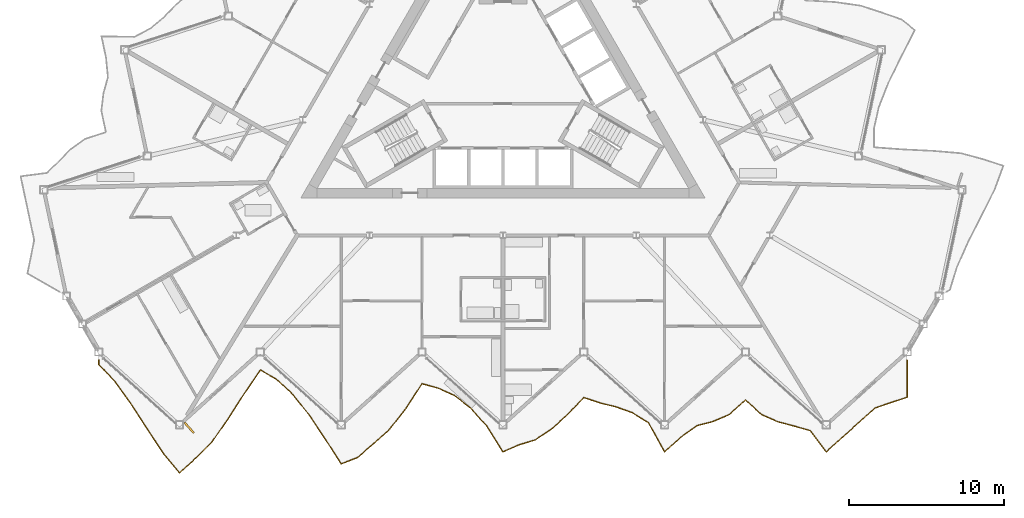
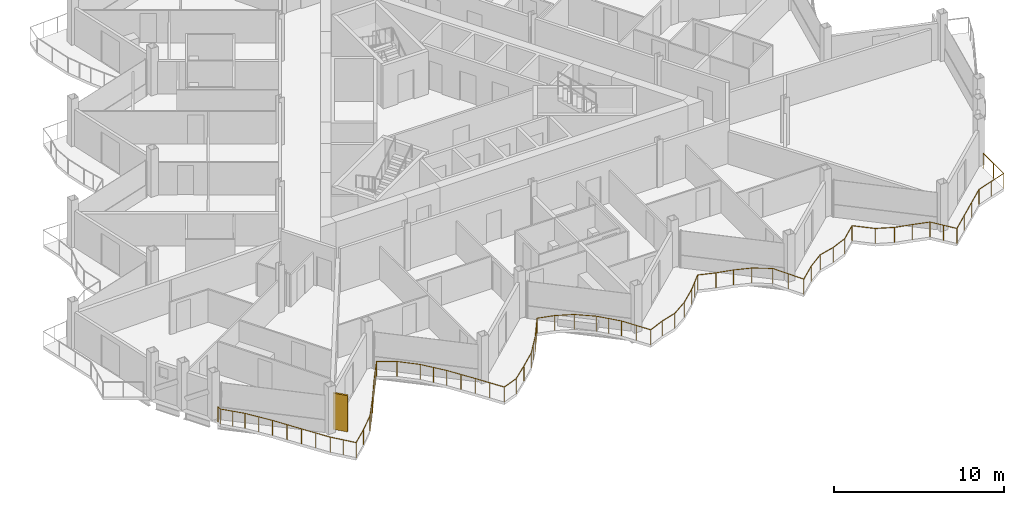
# One storey, part 22 of 26: 1 railing, 1 shading device.
"""IFC4 building model written with IfcOpenShell, lengths in metres."""

from ifc_helpers import new_model, si_unit, direction, frame, origin, origin_2d, place, context, subcontext, project, spatial, rectangle, circle, extrude, material, layer, layer_set, type_object, element, save


model = new_model("IFC4")

# Units and contexts
model_context = context("Model", 3, precision=1e-05, world=origin(), true_north=direction((0.0, 1.0)))
body_context = subcontext(model_context, "Body", "Model", "MODEL_VIEW")
ifc_project = project(units=[si_unit("LENGTHUNIT", "METRE"), si_unit("AREAUNIT", "SQUARE_METRE"), si_unit("VOLUMEUNIT", "CUBIC_METRE"), si_unit("PLANEANGLEUNIT", "RADIAN"), si_unit("MASSUNIT", "GRAM", prefix="KILO")], contexts=[model_context])

# Site, building, storey
site_placement = place(None, origin())
site = spatial("IfcSite", under=ifc_project, at=site_placement, CompositionType="ELEMENT")
building_placement = place(site_placement, origin())
building = spatial("IfcBuilding", under=site, at=building_placement, Name="Cormorant Prow Tower", CompositionType="ELEMENT")
storey_placement = place(building_placement, frame((0.0, 0.0, 401.800048828125)))
storey = spatial("IfcBuildingStorey", under=building, at=storey_placement, Name="L92", CompositionType="ELEMENT", Elevation=401.800048828125)

# Railing
ifc_material_1 = material(Name="Aluminium 6063-T6", Category="aluminium")
railing_type = type_object("IfcRailingType", Name="Balcony guard 1100", PredefinedType="GUARDRAIL", material=ifc_material_1)
railing_placement = place(storey_placement, frame((-26.0, -17.928955078125, 0.0)))
element("IfcRailing", 1, at=railing_placement, inside=storey, type_object=railing_type, Name="Balcony guard S", PredefinedType="GUARDRAIL", context=body_context, shape_type="SweptSolid", body=[
    extrude(circle(Radius=0.02392578125, at=origin_2d()), frame((0.0, 0.0, 1.076171875), z_axis=(0.0, -1.0, 0.0), x_axis=(1.0, 0.0, 0.0)), (0.0, 0.0, 1.0), 0.27001953125),
    extrude(circle(Radius=0.02392578125, at=origin_2d()), frame((0.0, -0.27001953125, 1.076171875), z_axis=(0.680346955526, -0.732890182842, 0.0), x_axis=(0.732890182842, 0.680346955526, 0.0)), (0.0, 0.0, 1.0), 1.52880859375),
    extrude(circle(Radius=0.02392578125, at=origin_2d()), frame((1.0400390625, -1.390380859375, 1.076171875), z_axis=(0.586958540129, -0.809616991033, 0.0), x_axis=(0.809616991033, 0.586958540129, 0.0)), (0.0, 0.0, 1.0), 1.77197265625),
    extrude(circle(Radius=0.02392578125, at=origin_2d()), frame((2.080078125, -2.824951171875, 1.076171875), z_axis=(0.544628800643, -0.838677214136, 0.0), x_axis=(0.838677214136, 0.544628800643, 0.0)), (0.0, 0.0, 1.0), 1.90966796875),
    extrude(circle(Radius=0.02392578125, at=origin_2d()), frame((3.1201171875, -4.426513671875, 1.076171875), z_axis=(0.551439122567, -0.834215136582, 0.0), x_axis=(0.834215136582, 0.551439122567, 0.0)), (0.0, 0.0, 1.0), 1.885498046875),
    extrude(circle(Radius=0.02392578125, at=origin_2d()), frame((4.159912109375, -5.99951171875, 1.076171875), z_axis=(0.638855874401, -0.769326440299, 0.0), x_axis=(0.769326440299, 0.638855874401, 0.0)), (0.0, 0.0, 1.0), 1.6279296875),
    extrude(circle(Radius=0.02392578125, at=origin_2d()), frame((5.199951171875, -7.251953125, 1.076171875), z_axis=(0.743207391022, 0.669061113749, 0.0), x_axis=(-0.669061113749, 0.743207391022, 0.0)), (0.0, 0.0, 1.0), 1.3994140625),
    extrude(circle(Radius=0.02392578125, at=origin_2d()), frame((6.239990234375, -6.315673828125, 1.076171875), z_axis=(0.708934994963, 0.705273828322, 0.0), x_axis=(-0.705273828322, 0.708934994963, 0.0)), (0.0, 0.0, 1.0), 1.467041015625),
    extrude(circle(Radius=0.02392578125, at=origin_2d()), frame((7.280029296875, -5.281005859375, 1.076171875), z_axis=(0.569794074682, 0.821787510527, 0.0), x_axis=(-0.821787510527, 0.569794074682, 0.0)), (0.0, 0.0, 1.0), 1.8251953125),
    extrude(circle(Radius=0.02392578125, at=origin_2d()), frame((8.320068359375, -3.781005859375, 1.076171875), z_axis=(0.541605511338, 0.84063277957, 0.0), x_axis=(-0.84063277957, 0.541605511338, 0.0)), (0.0, 0.0, 1.0), 1.92041015625),
    extrude(circle(Radius=0.02392578125, at=origin_2d()), frame((9.360107421875, -2.166748046875, 1.076171875), z_axis=(0.562385866296, 0.826874922458, 0.0), x_axis=(-0.826874922458, 0.562385866296, 0.0)), (0.0, 0.0, 1.0), 1.848876953125),
    extrude(circle(Radius=0.02392578125, at=origin_2d()), frame((10.39990234375, -0.637939453125, 1.076171875), z_axis=(0.864925429433, -0.501900390037, 0.0), x_axis=(0.501900390037, 0.864925429433, 0.0)), (0.0, 0.0, 1.0), 1.202392578125),
    extrude(circle(Radius=0.02392578125, at=origin_2d()), frame((11.43994140625, -1.241455078125, 1.076171875), z_axis=(0.734314217487, -0.678809715602, 0.0), x_axis=(0.678809715602, 0.734314217487, 0.0)), (0.0, 0.0, 1.0), 1.416259765625),
    extrude(circle(Radius=0.02392578125, at=origin_2d()), frame((12.47998046875, -2.202880859375, 1.076171875), z_axis=(0.621274306619, -0.783593157152, 0.0), x_axis=(0.783593157152, 0.621274306619, 0.0)), (0.0, 0.0, 1.0), 1.674072265625),
    extrude(circle(Radius=0.02392578125, at=origin_2d()), frame((13.52001953125, -3.5146484375, 1.076171875), z_axis=(0.556749375649, -0.830680523856, 0.0), x_axis=(0.830680523856, 0.556749375649, 0.0)), (0.0, 0.0, 1.0), 1.8681640625),
    extrude(circle(Radius=0.02392578125, at=origin_2d()), frame((14.56005859375, -5.06640625, 1.076171875), z_axis=(0.542532920639, -0.84003454097, 0.0), x_axis=(0.84003454097, 0.542532920639, 0.0)), (0.0, 0.0, 1.0), 1.9169921875),
    extrude(circle(Radius=0.02392578125, at=origin_2d()), frame((15.60009765625, -6.6767578125, 1.076171875), z_axis=(0.932615650419, 0.360871235476, 0.0), x_axis=(-0.360871235476, 0.932615650419, 0.0)), (0.0, 0.0, 1.0), 1.114990234375),
    extrude(circle(Radius=0.02392578125, at=origin_2d()), frame((16.639892578125, -6.2744140625, 1.076171875), z_axis=(0.757886081386, 0.652386915597, 0.0), x_axis=(-0.652386915597, 0.757886081386, 0.0)), (0.0, 0.0, 1.0), 1.372314453125),
    extrude(circle(Radius=0.02392578125, at=origin_2d()), frame((17.679931640625, -5.379150390625, 1.076171875), z_axis=(0.743120643554, 0.66915746213, 0.0), x_axis=(-0.66915746213, 0.743120643554, 0.0)), (0.0, 0.0, 1.0), 1.399658203125),
    extrude(circle(Radius=0.02392578125, at=origin_2d()), frame((18.719970703125, -4.442626953125, 1.076171875), z_axis=(0.616331667803, 0.787486682594, 0.0), x_axis=(-0.787486682594, 0.616331667803, 0.0)), (0.0, 0.0, 1.0), 1.6875),
    extrude(circle(Radius=0.02392578125, at=origin_2d()), frame((19.760009765625, -3.11376953125, 1.076171875), z_axis=(0.547737728888, 0.836650094336, 0.0), x_axis=(-0.836650094336, 0.547737728888, 0.0)), (0.0, 0.0, 1.0), 1.898681640625),
    extrude(circle(Radius=0.02392578125, at=origin_2d()), frame((20.800048828125, -1.525146484375, 1.076171875), z_axis=(0.964925678892, -0.262523207004, 0.0), x_axis=(0.262523207004, 0.964925678892, 0.0)), (0.0, 0.0, 1.0), 1.077880859375),
    extrude(circle(Radius=0.02392578125, at=origin_2d()), frame((21.840087890625, -1.80810546875, 1.076171875), z_axis=(0.910036897337, -0.41452725542, 0.0), x_axis=(0.41452725542, 0.910036897337, 0.0)), (0.0, 0.0, 1.0), 1.142578125),
    extrude(circle(Radius=0.02392578125, at=origin_2d()), frame((22.8798828125, -2.28173828125, 1.076171875), z_axis=(0.792347332052, -0.610070246275, 0.0), x_axis=(0.610070246275, 0.792347332052, 0.0)), (0.0, 0.0, 1.0), 1.3125),
    extrude(circle(Radius=0.02392578125, at=origin_2d()), frame((23.919921875, -3.08251953125, 1.076171875), z_axis=(0.664944939927, -0.746892379707, 0.0), x_axis=(0.746892379707, 0.664944939927, 0.0)), (0.0, 0.0, 1.0), 1.564208984375),
    extrude(circle(Radius=0.02392578125, at=origin_2d()), frame((24.9599609375, -4.250732421875, 1.076171875), z_axis=(0.532919439431, -0.846165983172, 0.0), x_axis=(0.846165983172, 0.532919439431, 0.0)), (0.0, 0.0, 1.0), 1.95166015625),
    extrude(circle(Radius=0.02392578125, at=origin_2d()), frame((26.0, -5.902099609375, 1.076171875), z_axis=(0.918496962037, 0.39542803483, 0.0), x_axis=(-0.39542803483, 0.918496962037, 0.0)), (0.0, 0.0, 1.0), 1.13232421875),
    extrude(circle(Radius=0.02392578125, at=origin_2d()), frame((27.0400390625, -5.454345703125, 1.076171875), z_axis=(0.956079368458, 0.293107900283, 0.0), x_axis=(-0.293107900283, 0.956079368458, 0.0)), (0.0, 0.0, 1.0), 1.087890625),
    extrude(circle(Radius=0.02392578125, at=origin_2d()), frame((28.080078125, -5.135498046875, 1.076171875), z_axis=(0.832230582023, 0.554429669432, 0.0), x_axis=(-0.554429669432, 0.832230582023, 0.0)), (0.0, 0.0, 1.0), 1.249755859375),
    extrude(circle(Radius=0.02392578125, at=origin_2d()), frame((29.1201171875, -4.442626953125, 1.076171875), z_axis=(0.743129279254, 0.669147871786, 0.0), x_axis=(-0.669147871786, 0.743129279254, 0.0)), (0.0, 0.0, 1.0), 1.399169921875),
    extrude(circle(Radius=0.02392578125, at=origin_2d()), frame((30.159912109375, -3.50634765625, 1.076171875), z_axis=(0.688040263562, 0.72567251272, 0.0), x_axis=(-0.72567251272, 0.688040263562, 0.0)), (0.0, 0.0, 1.0), 1.511474609375),
    extrude(circle(Radius=0.02392578125, at=origin_2d()), frame((31.199951171875, -2.409423828125, 1.076171875), z_axis=(0.948683298051, -0.316227766017, 0.0), x_axis=(0.316227766017, 0.948683298051, 0.0)), (0.0, 0.0, 1.0), 1.09619140625),
    extrude(circle(Radius=0.02392578125, at=origin_2d()), frame((32.239990234375, -2.756103515625, 1.076171875), z_axis=(0.970463258891, -0.241248965062, 0.0), x_axis=(0.241248965062, 0.970463258891, 0.0)), (0.0, 0.0, 1.0), 1.07177734375),
    extrude(circle(Radius=0.02392578125, at=origin_2d()), frame((33.280029296875, -3.0146484375, 1.076171875), z_axis=(0.942191416982, -0.335075116603, 0.0), x_axis=(0.335075116603, 0.942191416982, 0.0)), (0.0, 0.0, 1.0), 1.103759765625),
    extrude(circle(Radius=0.02392578125, at=origin_2d()), frame((34.320068359375, -3.384521484375, 1.076171875), z_axis=(0.848758567677, -0.528780572445, 0.0), x_axis=(0.528780572445, 0.848758567677, 0.0)), (0.0, 0.0, 1.0), 1.225341796875),
    extrude(circle(Radius=0.02392578125, at=origin_2d()), frame((35.360107421875, -4.032470703125, 1.076171875), z_axis=(0.48604015033, -0.873936480682, 0.0), x_axis=(0.873936480682, 0.48604015033, 0.0)), (0.0, 0.0, 1.0), 2.139404296875),
    extrude(circle(Radius=0.02392578125, at=origin_2d()), frame((36.39990234375, -5.902099609375, 1.076171875), z_axis=(0.743120643554, 0.66915746213, 0.0), x_axis=(-0.66915746213, 0.743120643554, 0.0)), (0.0, 0.0, 1.0), 1.399658203125),
    extrude(circle(Radius=0.02392578125, at=origin_2d()), frame((37.43994140625, -4.965576171875, 1.076171875), z_axis=(0.81326884026, 0.581888127961, 0.0), x_axis=(-0.581888127961, 0.81326884026, 0.0)), (0.0, 0.0, 1.0), 1.27880859375),
    extrude(circle(Radius=0.02392578125, at=origin_2d()), frame((38.47998046875, -4.221435546875, 1.076171875), z_axis=(0.967855696757, 0.251506163453, 0.0), x_axis=(-0.251506163453, 0.967855696757, 0.0)), (0.0, 0.0, 1.0), 1.074462890625),
    extrude(circle(Radius=0.02392578125, at=origin_2d()), frame((39.52001953125, -3.951171875, 1.076171875), z_axis=(0.9194350344, 0.393241932553, 0.0), x_axis=(-0.393241932553, 0.9194350344, 0.0)), (0.0, 0.0, 1.0), 1.131103515625),
    extrude(circle(Radius=0.02392578125, at=origin_2d()), frame((40.56005859375, -3.50634765625, 1.076171875), z_axis=(0.743120643554, 0.66915746213, 0.0), x_axis=(-0.66915746213, 0.743120643554, 0.0)), (0.0, 0.0, 1.0), 1.399658203125),
    extrude(circle(Radius=0.02392578125, at=origin_2d()), frame((41.60009765625, -2.56982421875, 1.076171875), z_axis=(0.74304251841, -0.669244212403, 0.0), x_axis=(0.669244212403, 0.74304251841, 0.0)), (0.0, 0.0, 1.0), 1.3994140625),
    extrude(circle(Radius=0.02392578125, at=origin_2d()), frame((42.639892578125, -3.50634765625, 1.076171875), z_axis=(0.913280331997, -0.407331603473, 0.0), x_axis=(0.407331603473, 0.913280331997, 0.0)), (0.0, 0.0, 1.0), 1.138916015625),
    extrude(circle(Radius=0.02392578125, at=origin_2d()), frame((43.679931640625, -3.97021484375, 1.076171875), z_axis=(0.967411967632, -0.253207592467, 0.0), x_axis=(0.253207592467, 0.967411967632, 0.0)), (0.0, 0.0, 1.0), 1.0751953125),
    extrude(circle(Radius=0.02392578125, at=origin_2d()), frame((44.719970703125, -4.242431640625, 1.076171875), z_axis=(0.961353446011, -0.275317184069, 0.0), x_axis=(0.275317184069, 0.961353446011, 0.0)), (0.0, 0.0, 1.0), 1.081787109375),
    extrude(circle(Radius=0.02392578125, at=origin_2d()), frame((45.760009765625, -4.540283203125, 1.076171875), z_axis=(0.606952873848, -0.79473782402, 0.0), x_axis=(0.79473782402, 0.606952873848, 0.0)), (0.0, 0.0, 1.0), 1.713623046875),
    extrude(circle(Radius=0.02392578125, at=origin_2d()), frame((46.800048828125, -5.902099609375, 1.076171875), z_axis=(0.743120643554, 0.66915746213, 0.0), x_axis=(-0.66915746213, 0.743120643554, 0.0)), (0.0, 0.0, 1.0), 1.399658203125),
    extrude(circle(Radius=0.02392578125, at=origin_2d()), frame((47.840087890625, -4.965576171875, 1.076171875), z_axis=(0.743129279254, 0.669147871786, 0.0), x_axis=(-0.669147871786, 0.743129279254, 0.0)), (0.0, 0.0, 1.0), 1.399169921875),
    extrude(circle(Radius=0.02392578125, at=origin_2d()), frame((48.8798828125, -4.029296875, 1.076171875), z_axis=(0.743120643554, 0.66915746213, 0.0), x_axis=(-0.66915746213, 0.743120643554, 0.0)), (0.0, 0.0, 1.0), 1.399658203125),
    extrude(circle(Radius=0.02392578125, at=origin_2d()), frame((49.919921875, -3.0927734375, 1.076171875), z_axis=(0.945712189176, 0.325005315717, 0.0), x_axis=(-0.325005315717, 0.945712189176, 0.0)), (0.0, 0.0, 1.0), 1.099853515625),
    extrude(circle(Radius=0.02392578125, at=origin_2d()), frame((50.9599609375, -2.7353515625, 1.076171875), z_axis=(0.950211136392, 0.311606797545, 0.0), x_axis=(-0.311606797545, 0.950211136392, 0.0)), (0.0, 0.0, 1.0), 1.094482421875),
    extrude(circle(Radius=0.02392578125, at=origin_2d()), frame((52.0, -2.394287109375, 1.076171875), z_axis=(0.0, 1.0, 0.0), x_axis=(-1.0, 0.0, 0.0)), (0.0, 0.0, 1.0), 2.394287109375),
    extrude(circle(Radius=0.02099609375, at=origin_2d()), origin(), (0.0, 0.0, 1.0), 1.052001953125),
    extrude(circle(Radius=0.02099609375, at=origin_2d()), frame((0.0, -0.27001953125, 0.0)), (0.0, 0.0, 1.0), 1.052001953125),
    extrude(circle(Radius=0.02099609375, at=origin_2d()), frame((0.52001953125, -0.830078125, 0.0)), (0.0, 0.0, 1.0), 1.052001953125),
    extrude(circle(Radius=0.02099609375, at=origin_2d()), frame((1.0400390625, -1.390380859375, 0.0)), (0.0, 0.0, 1.0), 1.052001953125),
    extrude(circle(Radius=0.02099609375, at=origin_2d()), frame((1.56005859375, -2.107666015625, 0.0)), (0.0, 0.0, 1.0), 1.052001953125),
    extrude(circle(Radius=0.02099609375, at=origin_2d()), frame((2.080078125, -2.824951171875, 0.0)), (0.0, 0.0, 1.0), 1.052001953125),
    extrude(circle(Radius=0.02099609375, at=origin_2d()), frame((2.60009765625, -3.625732421875, 0.0)), (0.0, 0.0, 1.0), 1.052001953125),
    extrude(circle(Radius=0.02099609375, at=origin_2d()), frame((3.1201171875, -4.426513671875, 0.0)), (0.0, 0.0, 1.0), 1.052001953125),
    extrude(circle(Radius=0.02099609375, at=origin_2d()), frame((3.64013671875, -5.212890625, 0.0)), (0.0, 0.0, 1.0), 1.052001953125),
    extrude(circle(Radius=0.02099609375, at=origin_2d()), frame((4.159912109375, -5.99951171875, 0.0)), (0.0, 0.0, 1.0), 1.052001953125),
    extrude(circle(Radius=0.02099609375, at=origin_2d()), frame((4.679931640625, -6.625732421875, 0.0)), (0.0, 0.0, 1.0), 1.052001953125),
    extrude(circle(Radius=0.02099609375, at=origin_2d()), frame((5.199951171875, -7.251953125, 0.0)), (0.0, 0.0, 1.0), 1.052001953125),
    extrude(circle(Radius=0.02099609375, at=origin_2d()), frame((6.239990234375, -6.315673828125, 0.0)), (0.0, 0.0, 1.0), 1.052001953125),
    extrude(circle(Radius=0.02099609375, at=origin_2d()), frame((7.280029296875, -5.281005859375, 0.0)), (0.0, 0.0, 1.0), 1.052001953125),
    extrude(circle(Radius=0.02099609375, at=origin_2d()), frame((7.800048828125, -4.531005859375, 0.0)), (0.0, 0.0, 1.0), 1.052001953125),
    extrude(circle(Radius=0.02099609375, at=origin_2d()), frame((8.320068359375, -3.781005859375, 0.0)), (0.0, 0.0, 1.0), 1.052001953125),
    extrude(circle(Radius=0.02099609375, at=origin_2d()), frame((8.840087890625, -2.973876953125, 0.0)), (0.0, 0.0, 1.0), 1.052001953125),
    extrude(circle(Radius=0.02099609375, at=origin_2d()), frame((9.360107421875, -2.166748046875, 0.0)), (0.0, 0.0, 1.0), 1.052001953125),
    extrude(circle(Radius=0.02099609375, at=origin_2d()), frame((9.8798828125, -1.40234375, 0.0)), (0.0, 0.0, 1.0), 1.052001953125),
    extrude(circle(Radius=0.02099609375, at=origin_2d()), frame((10.39990234375, -0.637939453125, 0.0)), (0.0, 0.0, 1.0), 1.052001953125),
    extrude(circle(Radius=0.02099609375, at=origin_2d()), frame((11.43994140625, -1.241455078125, 0.0)), (0.0, 0.0, 1.0), 1.052001953125),
    extrude(circle(Radius=0.02099609375, at=origin_2d()), frame((12.47998046875, -2.202880859375, 0.0)), (0.0, 0.0, 1.0), 1.052001953125),
    extrude(circle(Radius=0.02099609375, at=origin_2d()), frame((13.0, -2.85888671875, 0.0)), (0.0, 0.0, 1.0), 1.052001953125),
    extrude(circle(Radius=0.02099609375, at=origin_2d()), frame((13.52001953125, -3.5146484375, 0.0)), (0.0, 0.0, 1.0), 1.052001953125),
    extrude(circle(Radius=0.02099609375, at=origin_2d()), frame((14.0400390625, -4.29052734375, 0.0)), (0.0, 0.0, 1.0), 1.052001953125),
    extrude(circle(Radius=0.02099609375, at=origin_2d()), frame((14.56005859375, -5.06640625, 0.0)), (0.0, 0.0, 1.0), 1.052001953125),
    extrude(circle(Radius=0.02099609375, at=origin_2d()), frame((15.080078125, -5.87158203125, 0.0)), (0.0, 0.0, 1.0), 1.052001953125),
    extrude(circle(Radius=0.02099609375, at=origin_2d()), frame((15.60009765625, -6.6767578125, 0.0)), (0.0, 0.0, 1.0), 1.052001953125),
    extrude(circle(Radius=0.02099609375, at=origin_2d()), frame((16.639892578125, -6.2744140625, 0.0)), (0.0, 0.0, 1.0), 1.052001953125),
    extrude(circle(Radius=0.02099609375, at=origin_2d()), frame((17.679931640625, -5.379150390625, 0.0)), (0.0, 0.0, 1.0), 1.052001953125),
    extrude(circle(Radius=0.02099609375, at=origin_2d()), frame((18.719970703125, -4.442626953125, 0.0)), (0.0, 0.0, 1.0), 1.052001953125),
    extrude(circle(Radius=0.02099609375, at=origin_2d()), frame((19.239990234375, -3.7783203125, 0.0)), (0.0, 0.0, 1.0), 1.052001953125),
    extrude(circle(Radius=0.02099609375, at=origin_2d()), frame((19.760009765625, -3.11376953125, 0.0)), (0.0, 0.0, 1.0), 1.052001953125),
    extrude(circle(Radius=0.02099609375, at=origin_2d()), frame((20.280029296875, -2.3193359375, 0.0)), (0.0, 0.0, 1.0), 1.052001953125),
    extrude(circle(Radius=0.02099609375, at=origin_2d()), frame((20.800048828125, -1.525146484375, 0.0)), (0.0, 0.0, 1.0), 1.052001953125),
    extrude(circle(Radius=0.02099609375, at=origin_2d()), frame((21.840087890625, -1.80810546875, 0.0)), (0.0, 0.0, 1.0), 1.052001953125),
    extrude(circle(Radius=0.02099609375, at=origin_2d()), frame((22.8798828125, -2.28173828125, 0.0)), (0.0, 0.0, 1.0), 1.052001953125),
    extrude(circle(Radius=0.02099609375, at=origin_2d()), frame((23.919921875, -3.08251953125, 0.0)), (0.0, 0.0, 1.0), 1.052001953125),
    extrude(circle(Radius=0.02099609375, at=origin_2d()), frame((24.43994140625, -3.66650390625, 0.0)), (0.0, 0.0, 1.0), 1.052001953125),
    extrude(circle(Radius=0.02099609375, at=origin_2d()), frame((24.9599609375, -4.250732421875, 0.0)), (0.0, 0.0, 1.0), 1.052001953125),
    extrude(circle(Radius=0.02099609375, at=origin_2d()), frame((25.47998046875, -5.076416015625, 0.0)), (0.0, 0.0, 1.0), 1.052001953125),
    extrude(circle(Radius=0.02099609375, at=origin_2d()), frame((26.0, -5.902099609375, 0.0)), (0.0, 0.0, 1.0), 1.052001953125),
    extrude(circle(Radius=0.02099609375, at=origin_2d()), frame((27.0400390625, -5.454345703125, 0.0)), (0.0, 0.0, 1.0), 1.052001953125),
    extrude(circle(Radius=0.02099609375, at=origin_2d()), frame((28.080078125, -5.135498046875, 0.0)), (0.0, 0.0, 1.0), 1.052001953125),
    extrude(circle(Radius=0.02099609375, at=origin_2d()), frame((29.1201171875, -4.442626953125, 0.0)), (0.0, 0.0, 1.0), 1.052001953125),
    extrude(circle(Radius=0.02099609375, at=origin_2d()), frame((30.159912109375, -3.50634765625, 0.0)), (0.0, 0.0, 1.0), 1.052001953125),
    extrude(circle(Radius=0.02099609375, at=origin_2d()), frame((30.679931640625, -2.9580078125, 0.0)), (0.0, 0.0, 1.0), 1.052001953125),
    extrude(circle(Radius=0.02099609375, at=origin_2d()), frame((31.199951171875, -2.409423828125, 0.0)), (0.0, 0.0, 1.0), 1.052001953125),
    extrude(circle(Radius=0.02099609375, at=origin_2d()), frame((32.239990234375, -2.756103515625, 0.0)), (0.0, 0.0, 1.0), 1.052001953125),
    extrude(circle(Radius=0.02099609375, at=origin_2d()), frame((33.280029296875, -3.0146484375, 0.0)), (0.0, 0.0, 1.0), 1.052001953125),
    extrude(circle(Radius=0.02099609375, at=origin_2d()), frame((34.320068359375, -3.384521484375, 0.0)), (0.0, 0.0, 1.0), 1.052001953125),
    extrude(circle(Radius=0.02099609375, at=origin_2d()), frame((35.360107421875, -4.032470703125, 0.0)), (0.0, 0.0, 1.0), 1.052001953125),
    extrude(circle(Radius=0.02099609375, at=origin_2d()), frame((35.8798828125, -4.96728515625, 0.0)), (0.0, 0.0, 1.0), 1.052001953125),
    extrude(circle(Radius=0.02099609375, at=origin_2d()), frame((36.39990234375, -5.902099609375, 0.0)), (0.0, 0.0, 1.0), 1.052001953125),
    extrude(circle(Radius=0.02099609375, at=origin_2d()), frame((37.43994140625, -4.965576171875, 0.0)), (0.0, 0.0, 1.0), 1.052001953125),
    extrude(circle(Radius=0.02099609375, at=origin_2d()), frame((38.47998046875, -4.221435546875, 0.0)), (0.0, 0.0, 1.0), 1.052001953125),
    extrude(circle(Radius=0.02099609375, at=origin_2d()), frame((39.52001953125, -3.951171875, 0.0)), (0.0, 0.0, 1.0), 1.052001953125),
    extrude(circle(Radius=0.02099609375, at=origin_2d()), frame((40.56005859375, -3.50634765625, 0.0)), (0.0, 0.0, 1.0), 1.052001953125),
    extrude(circle(Radius=0.02099609375, at=origin_2d()), frame((41.60009765625, -2.56982421875, 0.0)), (0.0, 0.0, 1.0), 1.052001953125),
    extrude(circle(Radius=0.02099609375, at=origin_2d()), frame((42.639892578125, -3.50634765625, 0.0)), (0.0, 0.0, 1.0), 1.052001953125),
    extrude(circle(Radius=0.02099609375, at=origin_2d()), frame((43.679931640625, -3.97021484375, 0.0)), (0.0, 0.0, 1.0), 1.052001953125),
    extrude(circle(Radius=0.02099609375, at=origin_2d()), frame((44.719970703125, -4.242431640625, 0.0)), (0.0, 0.0, 1.0), 1.052001953125),
    extrude(circle(Radius=0.02099609375, at=origin_2d()), frame((45.760009765625, -4.540283203125, 0.0)), (0.0, 0.0, 1.0), 1.052001953125),
    extrude(circle(Radius=0.02099609375, at=origin_2d()), frame((46.280029296875, -5.22119140625, 0.0)), (0.0, 0.0, 1.0), 1.052001953125),
    extrude(circle(Radius=0.02099609375, at=origin_2d()), frame((46.800048828125, -5.902099609375, 0.0)), (0.0, 0.0, 1.0), 1.052001953125),
    extrude(circle(Radius=0.02099609375, at=origin_2d()), frame((47.840087890625, -4.965576171875, 0.0)), (0.0, 0.0, 1.0), 1.052001953125),
    extrude(circle(Radius=0.02099609375, at=origin_2d()), frame((48.8798828125, -4.029296875, 0.0)), (0.0, 0.0, 1.0), 1.052001953125),
    extrude(circle(Radius=0.02099609375, at=origin_2d()), frame((49.919921875, -3.0927734375, 0.0)), (0.0, 0.0, 1.0), 1.052001953125),
    extrude(circle(Radius=0.02099609375, at=origin_2d()), frame((50.9599609375, -2.7353515625, 0.0)), (0.0, 0.0, 1.0), 1.052001953125),
    extrude(circle(Radius=0.02099609375, at=origin_2d()), frame((52.0, -2.394287109375, 0.0)), (0.0, 0.0, 1.0), 1.052001953125),
    extrude(circle(Radius=0.02099609375, at=origin_2d()), frame((52.0, -1.197265625, 0.0)), (0.0, 0.0, 1.0), 1.052001953125),
    extrude(circle(Radius=0.02099609375, at=origin_2d()), frame((52.0, 0.0, 0.0)), (0.0, 0.0, 1.0), 1.052001953125),
])

# Shading device
ifc_material_2 = material(Name="Terracotta", Category="masonry")
ifc_layer = layer(ifc_material_2, 0.1201171875)
ifc_layer_set = layer_set([ifc_layer], Name="Terracotta")
shading_device_type = type_object("IfcShadingDeviceType", Name="Terracotta baguette fin 120x900x2600", PredefinedType="USERDEFINED", material=ifc_layer_set)
shading_device_placement = place(storey_placement, frame((-20.182373046875, -22.2802734375, 0.0), z_axis=(0.0, 0.0, 1.0), x_axis=(0.743144827638, 0.669130603959, 0.0)))
element("IfcShadingDevice", 2, at=shading_device_placement, inside=storey, type_object=shading_device_type, Name="Baguette fin S01", ObjectType="BAGUETTE", PredefinedType="USERDEFINED", context=body_context, shape_type="SweptSolid", body=[
    extrude(rectangle(XDim=0.1201171875, YDim=0.89990234375, at=origin_2d()), origin(), (0.0, 0.0, 1.0), 2.60009765625),
])

save(model, "model.ifc")
